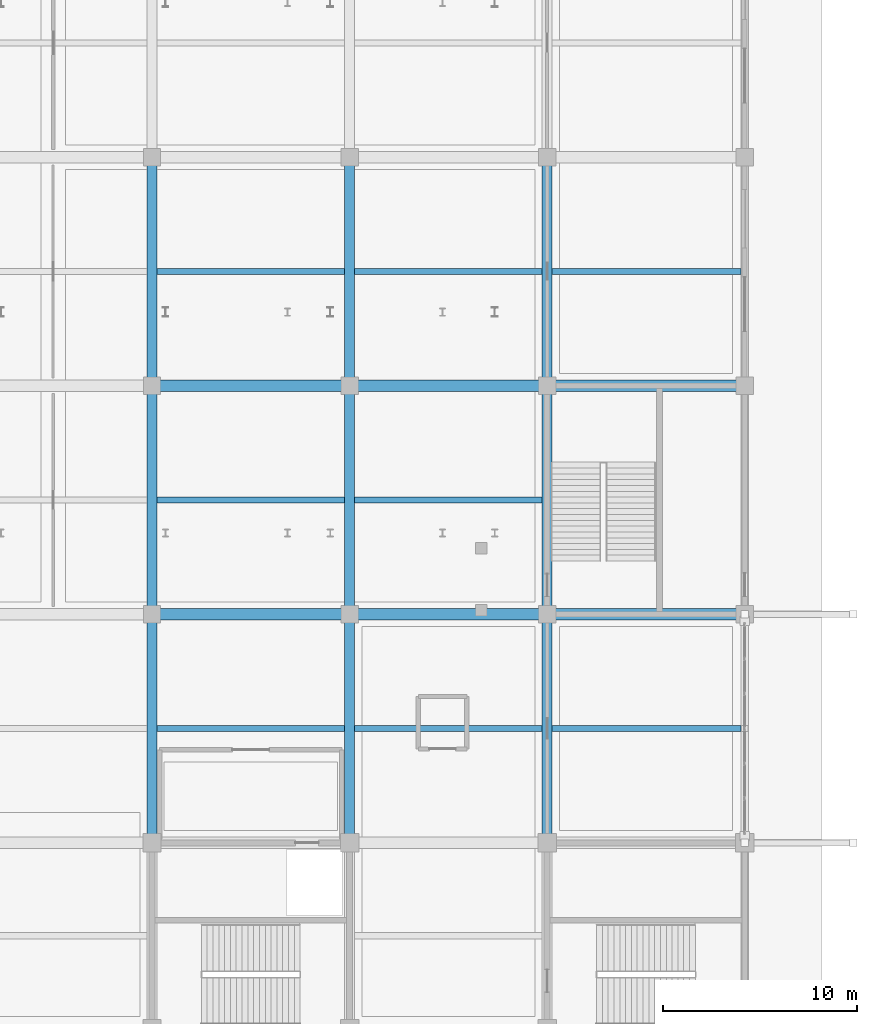
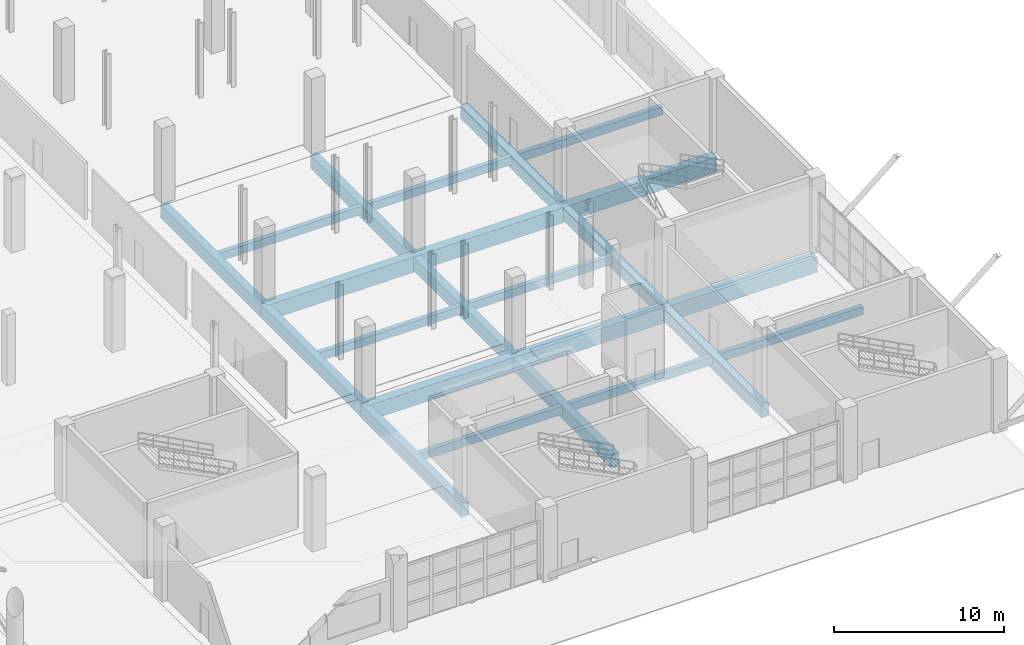
# One storey, part 62 of 124: 23 beams.
"""IFC4 building model written with IfcOpenShell, lengths in metres."""

from ifc_helpers import new_model, si_unit, direction, frame, origin, origin_2d, place, context, subcontext, project, spatial, rectangle, extrude, material, material_profile, profile_set, type_object, element, save


model = new_model("IFC4")

# Units and contexts
model_context = context("Model", 3, precision=1e-05, world=origin(), true_north=direction((0.0, 1.0)))
body_context = subcontext(model_context, "Body", "Model", "MODEL_VIEW")
ifc_project = project(units=[si_unit("LENGTHUNIT", "METRE"), si_unit("AREAUNIT", "SQUARE_METRE"), si_unit("VOLUMEUNIT", "CUBIC_METRE"), si_unit("PLANEANGLEUNIT", "RADIAN"), si_unit("MASSUNIT", "GRAM", prefix="KILO")], contexts=[model_context])

# Site, building, storey
site_placement = place(None, origin())
site = spatial("IfcSite", under=ifc_project, at=site_placement, CompositionType="ELEMENT")
building_placement = place(site_placement, origin())
building = spatial("IfcBuilding", under=site, at=building_placement, Name="Brelvane Convention Centre", CompositionType="ELEMENT")
storey_placement = place(building_placement, origin())
storey = spatial("IfcBuildingStorey", under=building, at=storey_placement, Name="L00", CompositionType="ELEMENT", Elevation=0.0)

# Beams
ifc_material_1 = material(Name="Concrete M50", Category="concrete")
ifc_material_profile_1 = material_profile(ifc_material_1, rectangle(XDim=0.60009765625, YDim=1.10009765625, at=origin_2d()), Name="RC 600x1100")
ifc_profile_set_1 = profile_set([ifc_material_profile_1], Name="Concrete M50")
beam_type_1 = type_object("IfcBeamType", Name="RC Beam B-RC2 (RC 600x1100)", PredefinedType="BEAM", material=ifc_profile_set_1)
for number, where, z_axis, x_axis, name in (
    (1, (193.800048828125, 40.60009765625, -1.010009765625), (1.0, 0.0, 0.0), (0.0, 1.0, 0.0), "L00 Beam 20-21/E"),
    (2, (193.800048828125, 52.39990234375, -0.949951171875), (1.0, 0.0, 0.0), (0.0, 1.0, 0.0), "L00 Beam 20-21/F"),
    (3, (204.0, 40.60009765625, -1.010009765625), (1.0, 0.0, 0.0), (0.0, 1.0, 0.0), "L00 Beam 21-22/E"),
    (4, (204.0, 52.39990234375, -0.949951171875), (1.0, 0.0, 0.0), (0.0, 1.0, 0.0), "L00 Beam 21-22/F"),
    (5, (214.199951171875, 40.60009765625, -1.010009765625), (1.0, 0.0, 0.0), (0.0, 1.0, 0.0), "L00 Beam 22-23/E"),
    (6, (214.199951171875, 52.39990234375, -0.949951171875), (1.0, 0.0, 0.0), (0.0, 1.0, 0.0), "L00 Beam 22-23/F"),
):
    element("IfcBeam", number, at=place(storey_placement, frame(where, z_axis=z_axis, x_axis=x_axis)), inside=storey, type_object=beam_type_1, Name=name, PredefinedType="BEAM", context=body_context, shape_type="SweptSolid", body=[
        extrude(rectangle(XDim=0.60009765625, YDim=1.10009765625, at=origin_2d()), origin(), (0.0, 0.0, 1.0), 10.199951171875),
    ])
ifc_material_2 = material(Name="Concrete M50", Category="concrete")
ifc_material_profile_2 = material_profile(ifc_material_2, rectangle(XDim=0.52001953125, YDim=0.949951171875, at=origin_2d()), Name="RC 520x950")
ifc_profile_set_2 = profile_set([ifc_material_profile_2], Name="Concrete M50")
beam_type_2 = type_object("IfcBeamType", Name="RC Beam B-RC9 (RC 520x950)", PredefinedType="BEAM", material=ifc_profile_set_2)
beam_1_placement = place(storey_placement, frame((193.800048828125, 28.800048828125, -0.93505859375), z_axis=(0.0, 1.0, 0.0), x_axis=(-1.0, 0.0, 0.0)))
element("IfcBeam", 7, at=beam_1_placement, inside=storey, type_object=beam_type_2, Name="L00 Girder 20/D-E", PredefinedType="BEAM", context=body_context, shape_type="SweptSolid", body=[
    extrude(rectangle(XDim=0.52001953125, YDim=0.949951171875, at=origin_2d()), origin(), (0.0, 0.0, 1.0), 11.800048828125),
])
beam_2_placement = place(storey_placement, frame((193.800048828125, 40.60009765625, -0.875), z_axis=(0.0, 1.0, 0.0), x_axis=(-1.0, 0.0, 0.0)))
element("IfcBeam", 8, at=beam_2_placement, inside=storey, type_object=beam_type_2, Name="L00 Girder 20/E-F", PredefinedType="BEAM", context=body_context, shape_type="SweptSolid", body=[
    extrude(rectangle(XDim=0.52001953125, YDim=0.949951171875, at=origin_2d()), origin(), (0.0, 0.0, 1.0), 11.7998046875),
])
for number, where, z_axis, x_axis, name in (
    (9, (193.800048828125, 52.39990234375, -0.875), (0.0, 1.0, 0.0), (-1.0, 0.0, 0.0), "L00 Girder 20/F-G"),
    (10, (204.0, 28.800048828125, -0.93505859375), (0.0, 1.0, 0.0), (-1.0, 0.0, 0.0), "L00 Girder 21/D-E"),
):
    element("IfcBeam", number, at=place(storey_placement, frame(where, z_axis=z_axis, x_axis=x_axis)), inside=storey, type_object=beam_type_2, Name=name, PredefinedType="BEAM", context=body_context, shape_type="SweptSolid", body=[
        extrude(rectangle(XDim=0.52001953125, YDim=0.949951171875, at=origin_2d()), origin(), (0.0, 0.0, 1.0), 11.800048828125),
    ])
beam_3_placement = place(storey_placement, frame((204.0, 40.60009765625, -0.875), z_axis=(0.0, 1.0, 0.0), x_axis=(-1.0, 0.0, 0.0)))
element("IfcBeam", 11, at=beam_3_placement, inside=storey, type_object=beam_type_2, Name="L00 Girder 21/E-F", PredefinedType="BEAM", context=body_context, shape_type="SweptSolid", body=[
    extrude(rectangle(XDim=0.52001953125, YDim=0.949951171875, at=origin_2d()), origin(), (0.0, 0.0, 1.0), 11.7998046875),
])
for number, where, z_axis, x_axis, name in (
    (12, (204.0, 52.39990234375, -0.875), (0.0, 1.0, 0.0), (-1.0, 0.0, 0.0), "L00 Girder 21/F-G"),
    (13, (214.199951171875, 28.800048828125, -0.93505859375), (0.0, 1.0, 0.0), (-1.0, 0.0, 0.0), "L00 Girder 22/D-E"),
):
    element("IfcBeam", number, at=place(storey_placement, frame(where, z_axis=z_axis, x_axis=x_axis)), inside=storey, type_object=beam_type_2, Name=name, PredefinedType="BEAM", context=body_context, shape_type="SweptSolid", body=[
        extrude(rectangle(XDim=0.52001953125, YDim=0.949951171875, at=origin_2d()), origin(), (0.0, 0.0, 1.0), 11.800048828125),
    ])
beam_4_placement = place(storey_placement, frame((214.199951171875, 40.60009765625, -0.875), z_axis=(0.0, 1.0, 0.0), x_axis=(-1.0, 0.0, 0.0)))
element("IfcBeam", 14, at=beam_4_placement, inside=storey, type_object=beam_type_2, Name="L00 Girder 22/E-F", PredefinedType="BEAM", context=body_context, shape_type="SweptSolid", body=[
    extrude(rectangle(XDim=0.52001953125, YDim=0.949951171875, at=origin_2d()), origin(), (0.0, 0.0, 1.0), 11.7998046875),
])
beam_5_placement = place(storey_placement, frame((214.199951171875, 52.39990234375, -0.875), z_axis=(0.0, 1.0, 0.0), x_axis=(-1.0, 0.0, 0.0)))
element("IfcBeam", 15, at=beam_5_placement, inside=storey, type_object=beam_type_2, Name="L00 Girder 22/F-G", PredefinedType="BEAM", context=body_context, shape_type="SweptSolid", body=[
    extrude(rectangle(XDim=0.52001953125, YDim=0.949951171875, at=origin_2d()), origin(), (0.0, 0.0, 1.0), 11.800048828125),
])
ifc_material_3 = material(Name="Concrete M40", Category="concrete")
ifc_material_profile_3 = material_profile(ifc_material_3, rectangle(XDim=0.320068359375, YDim=0.580078125, at=origin_2d()), Name="RC 320x580")
ifc_profile_set_3 = profile_set([ifc_material_profile_3], Name="Concrete M40")
beam_type_3 = type_object("IfcBeamType", Name="RC Joist J-RC3 (RC 320x580)", PredefinedType="JOIST", material=ifc_profile_set_3)
for number, where, z_axis, x_axis, name in (
    (16, (194.06005859375, 34.699951171875, -0.75), (1.0, 0.0, 0.0), (0.0, 1.0, 0.0), "L00 Secondary Joist 20-21/DE"),
    (17, (194.06005859375, 46.5, -0.68994140625), (1.0, 0.0, 0.0), (0.0, 1.0, 0.0), "L00 Secondary Joist 20-21/EF"),
    (18, (194.06005859375, 58.300048828125, -0.68994140625), (1.0, 0.0, 0.0), (0.0, 1.0, 0.0), "L00 Secondary Joist 20-21/FG"),
    (19, (204.260009765625, 34.699951171875, -0.75), (1.0, 0.0, 0.0), (0.0, 1.0, 0.0), "L00 Secondary Joist 21-22/DE"),
    (20, (204.260009765625, 46.5, -0.68994140625), (1.0, 0.0, 0.0), (0.0, 1.0, 0.0), "L00 Secondary Joist 21-22/EF"),
    (21, (204.260009765625, 58.300048828125, -0.68994140625), (1.0, 0.0, 0.0), (0.0, 1.0, 0.0), "L00 Secondary Joist 21-22/FG"),
):
    element("IfcBeam", number, at=place(storey_placement, frame(where, z_axis=z_axis, x_axis=x_axis)), inside=storey, type_object=beam_type_3, Name=name, PredefinedType="JOIST", context=body_context, shape_type="SweptSolid", body=[
        extrude(rectangle(XDim=0.320068359375, YDim=0.580078125, at=origin_2d()), origin(), (0.0, 0.0, 1.0), 9.679931640625),
    ])
for number, where, z_axis, x_axis, name in (
    (22, (214.4599609375, 34.699951171875, -0.75), (1.0, 0.0, 0.0), (0.0, 1.0, 0.0), "L00 Secondary Joist 22-23/DE"),
    (23, (214.4599609375, 58.300048828125, -0.68994140625), (1.0, 0.0, 0.0), (0.0, 1.0, 0.0), "L00 Secondary Joist 22-23/FG"),
):
    element("IfcBeam", number, at=place(storey_placement, frame(where, z_axis=z_axis, x_axis=x_axis)), inside=storey, type_object=beam_type_3, Name=name, PredefinedType="JOIST", context=body_context, shape_type="SweptSolid", body=[
        extrude(rectangle(XDim=0.320068359375, YDim=0.580078125, at=origin_2d()), origin(), (0.0, 0.0, 1.0), 9.739990234375),
    ])

save(model, "model.ifc")
